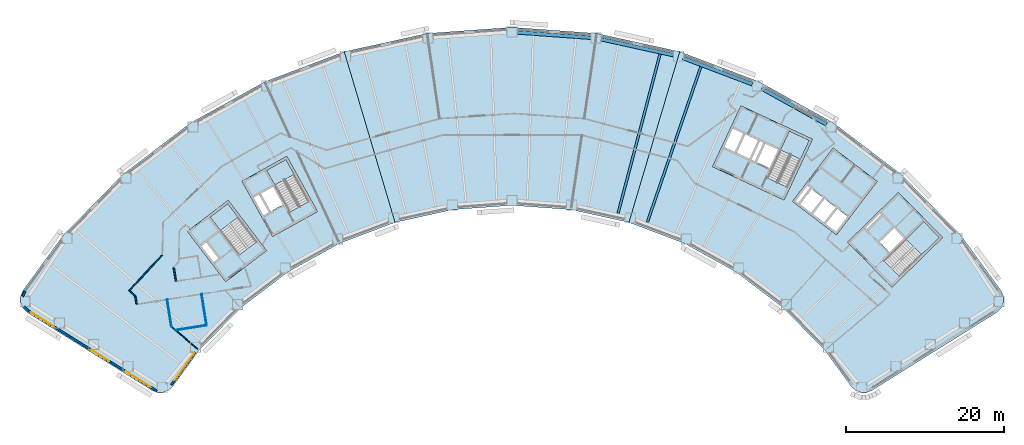
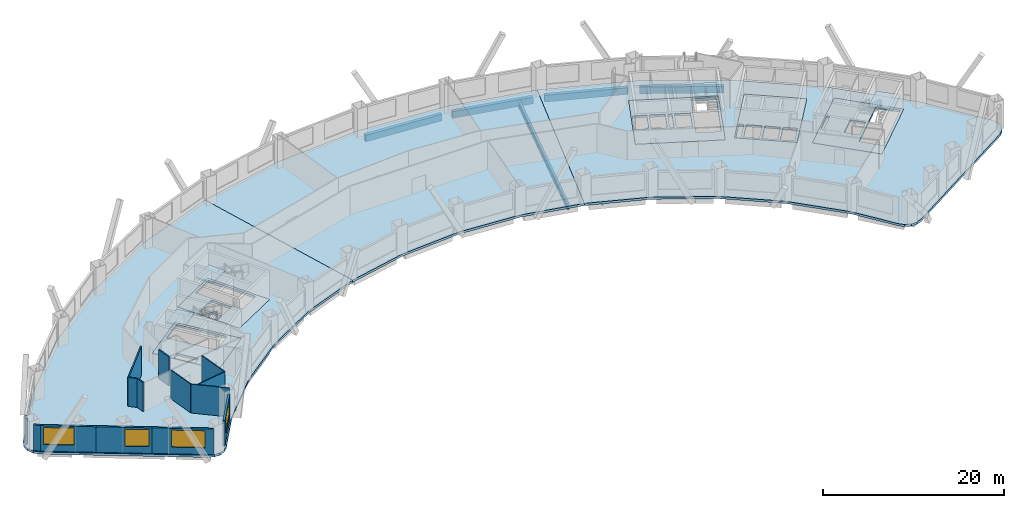
# One storey, part 2 of 11: 14 walls, 12 slabs, 6 beams, 4 windows, 4 openings, 4 elements without a shape of their own.
"""IFC4 building model written with IfcOpenShell, lengths in metres."""

import ifcopenshell
import ifcopenshell.guid

model = None  # the IFC model being written
_history = None  # IfcOwnerHistory: only IFC2X3 demands one
_inside = {}  # id of a spatial element -> (the spatial element, [elements in it])
_under = {}  # id of a project, library or spatial element -> (it, [spatial elements below it])
_declared = {}  # id of a project -> (the project, [libraries it declares])
_typed = {}  # id of a type object -> (the type object, [elements of that type])
_made_of = {}  # id of a material, layer set ... -> (it, [elements and type objects made of it])


def new_model(schema):
    """Start an empty IFC model of exactly this schema.

    Asked for "IFC4X3", IfcOpenShell would pick the latest addendum, in which some entities
    have other attributes; the version numbers below select the first issue.
    IFC2X3 requires an IfcOwnerHistory on every rooted entity: one is made here for all.
    """
    global model, _history
    if schema == "IFC4X3":
        model = ifcopenshell.file(schema_version=(4, 3, 0, 0))
    else:
        model = ifcopenshell.file(schema=schema)
    _inside.clear()
    _under.clear()
    _declared.clear()
    _typed.clear()
    _made_of.clear()
    _history = None
    if model.schema == "IFC2X3":
        org = make("IfcOrganization", Name="unknown")
        user = make(
            "IfcPersonAndOrganization",
            ThePerson=make("IfcPerson", FamilyName="unknown"),
            TheOrganization=org,
        )
        app = make(
            "IfcApplication",
            ApplicationDeveloper=org,
            Version="unknown",
            ApplicationFullName="unknown",
            ApplicationIdentifier="unknown",
        )
        _history = make(
            "IfcOwnerHistory",
            OwningUser=user,
            OwningApplication=app,
            ChangeAction="ADDED",
            CreationDate=0,
        )
    return model


def make(cls, **values):
    """One entity of the class cls with the attributes given. An attribute that is None is left unset."""
    return model.create_entity(
        cls, **{name: value for name, value in values.items() if value is not None}
    )


def rooted(cls, **values):
    """An entity with a GlobalId (a new one), such as an element, a storey or a relation."""
    return make(cls, GlobalId=ifcopenshell.guid.new(), OwnerHistory=_history, **values)


def si_unit(unit_type, name, prefix=None):
    """IfcSIUnit, for example si_unit("LENGTHUNIT", "METRE", prefix="MILLI")."""
    return make("IfcSIUnit", UnitType=unit_type, Prefix=prefix, Name=name)


def assignment(units):
    """IfcUnitAssignment: the units of a project."""
    return None if units is None else make("IfcUnitAssignment", Units=units)


def point(xyz):
    """IfcCartesianPoint."""
    return None if xyz is None else make("IfcCartesianPoint", Coordinates=xyz)


def direction(xyz):
    """IfcDirection."""
    return None if xyz is None else make("IfcDirection", DirectionRatios=xyz)


def frame(location, z_axis=None, x_axis=None):
    """IfcAxis2Placement3D, a coordinate frame: its origin and axes. An axis left out is left unset."""
    return make(
        "IfcAxis2Placement3D",
        Location=point(location),
        Axis=direction(z_axis),
        RefDirection=direction(x_axis),
    )


def frame_2d(location, x_axis=None):
    """IfcAxis2Placement2D, a coordinate frame in the plane: its origin and x axis."""
    return make(
        "IfcAxis2Placement2D", Location=point(location), RefDirection=direction(x_axis)
    )


def origin():
    """The frame at (0, 0, 0) with its axes left unset."""
    return frame((0.0, 0.0, 0.0))


def origin_2d():
    """The frame at (0, 0) in the plane with its x axis left unset."""
    return frame_2d((0.0, 0.0))


def place(relative_to, where):
    """IfcLocalPlacement: puts the frame where relative to a parent placement (None: the world)."""
    return make(
        "IfcLocalPlacement", PlacementRelTo=relative_to, RelativePlacement=where
    )


def context(
    kind, dimensions, precision=None, world=None, true_north=None, identifier=None
):
    """IfcGeometricRepresentationContext, for example the 3D "Model" context."""
    return make(
        "IfcGeometricRepresentationContext",
        ContextIdentifier=identifier,
        ContextType=kind,
        CoordinateSpaceDimension=dimensions,
        Precision=precision,
        WorldCoordinateSystem=world,
        TrueNorth=true_north,
    )


def subcontext(parent, identifier, kind, view, scale=None):
    """IfcGeometricRepresentationSubContext, for example "Body" below "Model"."""
    return make(
        "IfcGeometricRepresentationSubContext",
        ContextIdentifier=identifier,
        ContextType=kind,
        ParentContext=parent,
        TargetScale=scale,
        TargetView=view,
    )


def project(units=None, contexts=None):
    """IfcProject with its units and contexts."""
    return rooted(
        "IfcProject",
        Name="project",
        RepresentationContexts=contexts,
        UnitsInContext=assignment(units),
    )


def spatial(cls, under=None, at=None, **own):
    """A site, building, storey or space (cls), placed at a placement, below another one or the project."""
    s = rooted(cls, ObjectPlacement=at, **own)
    if under is not None:
        _under.setdefault(under.id(), (under, []))[1].append(s)
    return s


def polyline(points):
    """IfcPolyline through the points."""
    return make("IfcPolyline", Points=[point(p) for p in points])


def profile(cls, at=None, kind="AREA", **sizes):
    """A parametric profile (cls). Its sizes go by their IFC names, for example OverallWidth=200.0."""
    return make(cls, ProfileType=kind, Position=at, **sizes)


def rectangle(**sizes):
    """IfcRectangleProfileDef."""
    return profile("IfcRectangleProfileDef", **sizes)


def hollow_rectangle(**sizes):
    """IfcRectangleHollowProfileDef."""
    return profile("IfcRectangleHollowProfileDef", **sizes)


def i_section(**sizes):
    """IfcIShapeProfileDef."""
    return profile("IfcIShapeProfileDef", **sizes)


def outline(outer, holes=None, kind="AREA"):
    """IfcArbitraryClosedProfileDef: a profile drawn as a closed curve; with holes, ...WithVoids."""
    if holes is None:
        return make("IfcArbitraryClosedProfileDef", ProfileType=kind, OuterCurve=outer)
    return make(
        "IfcArbitraryProfileDefWithVoids",
        ProfileType=kind,
        OuterCurve=outer,
        InnerCurves=holes,
    )


def extrude(swept, where, along, depth):
    """IfcExtrudedAreaSolid: the profile swept, set in the frame where, extruded along a direction by depth."""
    return make(
        "IfcExtrudedAreaSolid",
        SweptArea=swept,
        Position=where,
        ExtrudedDirection=direction(along),
        Depth=depth,
    )


def shape(context_of_items, identifier, shape_type, items):
    """IfcShapeRepresentation: the items that make up one representation, for example the "Body"."""
    return make(
        "IfcShapeRepresentation",
        ContextOfItems=context_of_items,
        RepresentationIdentifier=identifier,
        RepresentationType=shape_type,
        Items=items,
    )


def material(Name=None, Category=None):
    """IfcMaterial."""
    return make("IfcMaterial", Name=Name, Category=Category)


def layer(
    of_material, thickness, ventilated=None, Name=None, Category=None, Priority=None
):
    """IfcMaterialLayer: one layer of a wall or slab, of a material (None: an air gap)."""
    return make(
        "IfcMaterialLayer",
        Material=of_material,
        LayerThickness=thickness,
        IsVentilated=ventilated,
        Name=Name,
        Category=Category,
        Priority=Priority,
    )


def layer_set(layers, Name=None):
    """IfcMaterialLayerSet."""
    return make("IfcMaterialLayerSet", MaterialLayers=layers, LayerSetName=Name)


def material_profile(
    of_material, cross_section, Name=None, Category=None, Priority=None
):
    """IfcMaterialProfile: a cross section and its material."""
    return make(
        "IfcMaterialProfile",
        Name=Name,
        Material=of_material,
        Profile=cross_section,
        Priority=Priority,
        Category=Category,
    )


def profile_set(profiles, Name=None, composite=None):
    """IfcMaterialProfileSet."""
    return make(
        "IfcMaterialProfileSet",
        Name=Name,
        MaterialProfiles=profiles,
        CompositeProfile=composite,
    )


def made_of(thing, what):
    """Note that an element or type object is made of a material, layer set ...; save() writes the relation."""
    if what is not None:
        _made_of.setdefault(what.id(), (what, []))[1].append(thing)
    return thing


def type_object(cls, material=None, **own):
    """A type object (cls), such as IfcWallType, which elements share."""
    return made_of(rooted(cls, **own), material)


def element(
    cls,
    number,
    at=None,
    inside=None,
    cuts=None,
    type_object=None,
    material=None,
    context=None,
    identifier="Body",
    shape_type=None,
    held_by="IfcProductDefinitionShape",
    body=None,
    shapes=None,
    **own,
):
    """One element of the class cls, such as IfcWall. Its Tag is "e" and its number.

    at: its placement. inside: the storey or other place that contains it. cuts: it is an
    opening in that element (IfcRelVoidsElement). A single representation is given by context,
    identifier, shape_type and body (its items); several are given by shapes. held_by: the class
    of the entity that holds the representations. save() writes the other relations.
    """
    e = rooted(cls, Tag="e%d" % number, ObjectPlacement=at, **own)
    if body is not None:
        shapes = [shape(context, identifier, shape_type, body)]
    if shapes is not None:
        e.Representation = make(held_by, Representations=shapes)
    if inside is not None:
        _inside.setdefault(inside.id(), (inside, []))[1].append(e)
    if cuts is not None:
        rooted(
            "IfcRelVoidsElement", RelatingBuildingElement=cuts, RelatedOpeningElement=e
        )
    if type_object is not None:
        _typed.setdefault(type_object.id(), (type_object, []))[1].append(e)
    return made_of(e, material)


def fill(opening, filler):
    """IfcRelFillsElement: the door or window that sits in an opening."""
    return rooted(
        "IfcRelFillsElement",
        RelatingOpeningElement=opening,
        RelatedBuildingElement=filler,
    )


def aggregate(whole, parts):
    """IfcRelAggregates: a whole, such as a stair, and the parts it consists of."""
    return rooted("IfcRelAggregates", RelatingObject=whole, RelatedObjects=parts)


def save(model, path):
    """Write the relations noted so far, then the file.

    IfcRelAggregates (storeys below a building ...), IfcRelContainedInSpatialStructure (elements
    in a storey), IfcRelDefinesByType, IfcRelAssociatesMaterial and IfcRelDeclares: one each for
    every whole, place, type object, material and project.
    """
    for whole, parts in _under.values():
        aggregate(whole, parts)
    for where, things in _inside.values():
        rooted(
            "IfcRelContainedInSpatialStructure",
            RelatedElements=things,
            RelatingStructure=where,
        )
    for kind, things in _typed.values():
        rooted("IfcRelDefinesByType", RelatedObjects=things, RelatingType=kind)
    for what, things in _made_of.values():
        rooted("IfcRelAssociatesMaterial", RelatedObjects=things, RelatingMaterial=what)
    for by, libraries in _declared.values():
        rooted("IfcRelDeclares", RelatingContext=by, RelatedDefinitions=libraries)
    model.write(path)


model = new_model("IFC4")

# Units and contexts
model_context = context("Model", 3, precision=1e-05, world=origin(), true_north=direction((0.0, 1.0)))
body_context = subcontext(model_context, "Body", "Model", "MODEL_VIEW")
ifc_project = project(units=[si_unit("LENGTHUNIT", "METRE"), si_unit("AREAUNIT", "SQUARE_METRE"), si_unit("VOLUMEUNIT", "CUBIC_METRE"), si_unit("PLANEANGLEUNIT", "RADIAN"), si_unit("MASSUNIT", "GRAM", prefix="KILO")], contexts=[model_context])

# Site, building, storey
site_placement = place(None, origin())
site = spatial("IfcSite", under=ifc_project, at=site_placement, CompositionType="ELEMENT")
building_placement = place(site_placement, origin())
building = spatial("IfcBuilding", under=site, at=building_placement, Name="Tuul Gate Civic Tower", CompositionType="ELEMENT")
storey_placement = place(building_placement, frame((0.0, 0.0, 48.300048828125)))
storey = spatial("IfcBuildingStorey", under=building, at=storey_placement, Name="Level 10", CompositionType="ELEMENT", Elevation=48.300048828125)

# Beams
ifc_material_1 = material(Name="Steel S355", Category="steel")
ifc_material_profile_1 = material_profile(ifc_material_1, i_section(OverallWidth=0.300048828125, OverallDepth=0.800048828125, WebThickness=0.013916015625, FlangeThickness=0.02490234375, at=origin_2d()), Name="PG800x300x14x25")
ifc_profile_set_1 = profile_set([ifc_material_profile_1], Name="Steel S355")
beam_type_1 = type_object("IfcBeamType", Name="STR-FLOOR BEAM-PG800x300x14x25", PredefinedType="BEAM", material=ifc_profile_set_1)
beam_1_placement = place(storey_placement, frame((17.146240234375, -10.189453125, -0.699951171875), z_axis=(0.325486974479, 0.945546524209, 0.0), x_axis=(-0.945546524209, 0.325486974479, 0.0)))
element("IfcBeam", 1, at=beam_1_placement, inside=storey, type_object=beam_type_1, Name="Floor beam", PredefinedType="BEAM", context=body_context, shape_type="SweptSolid", body=[
    extrude(i_section(OverallWidth=0.300048828125, OverallDepth=0.800048828125, WebThickness=0.013916015625, FlangeThickness=0.02490234375, at=origin_2d()), origin(), (0.0, 0.0, 1.0), 20.809326171875),
])
beam_2_placement = place(storey_placement, frame((13.438720703125, -9.04296875, -0.699951171875), z_axis=(0.255004720301, 0.96693980817, 0.0), x_axis=(-0.96693980817, 0.255004720301, 0.0)))
element("IfcBeam", 2, at=beam_2_placement, inside=storey, type_object=beam_type_1, Name="Floor beam", PredefinedType="BEAM", context=body_context, shape_type="SweptSolid", body=[
    extrude(i_section(OverallWidth=0.300048828125, OverallDepth=0.800048828125, WebThickness=0.013916015625, FlangeThickness=0.02490234375, at=origin_2d()), origin(), (0.0, 0.0, 1.0), 20.817626953125),
])
ifc_material_2 = material(Name="Steel S355", Category="steel")
ifc_material_profile_2 = material_profile(ifc_material_2, hollow_rectangle(XDim=0.449951171875, YDim=0.89990234375, WallThickness=0.02490234375, at=origin_2d()), Name="BOX900x450x25")
ifc_profile_set_2 = profile_set([ifc_material_profile_2], Name="Steel S355")
beam_type_2 = type_object("IfcBeamType", Name="STR-SPANDREL BEAM-BOX900x450x25", PredefinedType="BEAM", material=ifc_profile_set_2)
beam_3_placement = place(storey_placement, frame((39.83349609375, 2.191162109375, -0.75), z_axis=(-0.874628488078, 0.484793778676, 0.0), x_axis=(-0.484793778676, -0.874628488078, 0.0)))
element("IfcBeam", 3, at=beam_3_placement, inside=storey, type_object=beam_type_2, Name="Spandrel beam", PredefinedType="BEAM", context=body_context, shape_type="SweptSolid", body=[
    extrude(hollow_rectangle(XDim=0.449951171875, YDim=0.89990234375, WallThickness=0.02490234375, at=origin_2d()), origin(), (0.0, 0.0, 1.0), 9.37646484375),
])
beam_4_placement = place(storey_placement, frame((30.4560546875, 7.281982421875, -0.75), z_axis=(-0.935343306637, 0.353741287849, 0.0), x_axis=(-0.353741287849, -0.935343306637, 0.0)))
element("IfcBeam", 4, at=beam_4_placement, inside=storey, type_object=beam_type_2, Name="Spandrel beam", PredefinedType="BEAM", context=body_context, shape_type="SweptSolid", body=[
    extrude(hollow_rectangle(XDim=0.449951171875, YDim=0.89990234375, WallThickness=0.02490234375, at=origin_2d()), origin(), (0.0, 0.0, 1.0), 9.377197265625),
])
beam_5_placement = place(storey_placement, frame((20.442138671875, 10.968994140625, -0.75), z_axis=(-0.976572630495, 0.215188051174, 0.0), x_axis=(-0.215188051174, -0.976572630495, 0.0)))
element("IfcBeam", 5, at=beam_5_placement, inside=storey, type_object=beam_type_2, Name="Spandrel beam", PredefinedType="BEAM", context=body_context, shape_type="SweptSolid", body=[
    extrude(hollow_rectangle(XDim=0.449951171875, YDim=0.89990234375, WallThickness=0.02490234375, at=origin_2d()), origin(), (0.0, 0.0, 1.0), 9.378173828125),
])
beam_6_placement = place(storey_placement, frame((10.000732421875, 13.173828125, -0.75), z_axis=(-0.997388439542, 0.072223961869, 0.0), x_axis=(-0.072223961869, -0.997388439542, 0.0)))
element("IfcBeam", 6, at=beam_6_placement, inside=storey, type_object=beam_type_2, Name="Spandrel beam", PredefinedType="BEAM", context=body_context, shape_type="SweptSolid", body=[
    extrude(hollow_rectangle(XDim=0.449951171875, YDim=0.89990234375, WallThickness=0.02490234375, at=origin_2d()), origin(), (0.0, 0.0, 1.0), 9.376953125),
])

# Slabs
ifc_material_3 = material(Name="Concrete C40/50", Category="concrete")
ifc_layer_1 = layer(ifc_material_3, 0.300048828125)
ifc_layer_set_1 = layer_set([ifc_layer_1], Name="Concrete C40/50")
slab_type_1 = type_object("IfcSlabType", Name="Core floor slab 300", PredefinedType="FLOOR", material=ifc_layer_set_1)
slab_1_placement = place(storey_placement, frame((0.0, 0.0, -0.300048828125)))
element("IfcSlab", 7, at=slab_1_placement, inside=storey, type_object=slab_type_1, Name="FLOOR SLAB", PredefinedType="FLOOR", context=body_context, shape_type="SweptSolid", body=[
    extrude(outline(polyline([(-31.10009765625, -13.7890625), (-35.946044921875, -7.423828125), (-41.11767578125, -11.361572265625), (-36.271484375, -17.726806640625), (-31.10009765625, -13.7890625)]), holes=[polyline([(-37.19287109375, -14.783203125), (-38.737548828125, -12.75439453125), (-39.45361328125, -13.299560546875), (-37.908935546875, -15.328369140625), (-37.19287109375, -14.783203125)]), polyline([(-32.33935546875, -12.65771484375), (-34.56591796875, -14.352783203125), (-38.229736328125, -9.54052734375), (-36.003173828125, -7.845458984375), (-32.33935546875, -12.65771484375)])]), origin(), (0.0, 0.0, 1.0), 0.300048828125),
])
slab_2_placement = place(storey_placement, frame((0.0, 0.0, -0.300048828125)))
element("IfcSlab", 8, at=slab_2_placement, inside=storey, type_object=slab_type_1, Name="FLOOR SLAB", PredefinedType="FLOOR", context=body_context, shape_type="SweptSolid", body=[
    extrude(outline(polyline([(-24.638916015625, -8.846923828125), (-28.51708984375, -1.849853515625), (-34.2021484375, -5.0009765625), (-30.32421875, -11.998046875), (-24.638916015625, -8.846923828125)]), holes=[polyline([(-29.0185546875, -7.958740234375), (-30.254638671875, -5.728515625), (-31.785400390625, -6.576904296875), (-30.54931640625, -8.80712890625), (-29.0185546875, -7.958740234375)]), polyline([(-30.8115234375, -8.95263671875), (-32.047607421875, -6.72216796875), (-32.8349609375, -7.158447265625), (-31.5986328125, -9.388916015625), (-30.8115234375, -8.95263671875)]), polyline([(-25.702392578125, -7.548828125), (-28.14990234375, -8.905517578125), (-31.08203125, -3.615234375), (-28.63427734375, -2.2587890625), (-25.702392578125, -7.548828125)])]), origin(), (0.0, 0.0, 1.0), 0.300048828125),
])
slab_3_placement = place(storey_placement, frame((0.0, 0.0, -0.300048828125)))
element("IfcSlab", 9, at=slab_3_placement, inside=storey, type_object=slab_type_1, Name="FLOOR SLAB", PredefinedType="FLOOR", context=body_context, shape_type="SweptSolid", body=[
    extrude(outline(polyline([(48.117919921875, -18.43310546875), (54.545166015625, -12.1328125), (48.945068359375, -6.419921875), (42.517822265625, -12.719970703125), (48.117919921875, -18.43310546875)]), holes=[polyline([(47.808837890625, -13.974853515625), (49.6298828125, -12.18994140625), (48.40478515625, -10.940185546875), (46.583984375, -12.72509765625), (47.808837890625, -13.974853515625)]), polyline([(44.93896484375, -11.046875), (46.760009765625, -9.261962890625), (46.514892578125, -9.011962890625), (44.69384765625, -10.797119140625), (44.93896484375, -11.046875)]), polyline([(49.086181640625, -17.062744140625), (47.12744140625, -15.064208984375), (52.160888671875, -10.130126953125), (54.11962890625, -12.128662109375), (49.086181640625, -17.062744140625)])]), origin(), (0.0, 0.0, 1.0), 0.300048828125),
])
slab_4_placement = place(storey_placement, frame((0.0, 0.0, -0.300048828125)))
element("IfcSlab", 10, at=slab_4_placement, inside=storey, type_object=slab_type_1, Name="FLOOR SLAB", PredefinedType="FLOOR", context=body_context, shape_type="SweptSolid", body=[
    extrude(outline(polyline([(34.465087890625, -7.385986328125), (38.056884765625, 0.31787109375), (28.993896484375, 4.543701171875), (25.40185546875, -3.159912109375), (34.465087890625, -7.385986328125)]), holes=[polyline([(32.60888671875, -3.32080078125), (33.6865234375, -1.009765625), (32.1005859375, -0.27001953125), (31.02294921875, -2.581298828125), (32.60888671875, -3.32080078125)]), polyline([(30.0712890625, -2.137451171875), (31.14892578125, 0.173583984375), (29.562744140625, 0.9130859375), (28.4853515625, -1.39794921875), (30.0712890625, -2.137451171875)]), polyline([(30.751220703125, -2.454345703125), (31.82861328125, -0.143310546875), (31.4208984375, 0.046875), (30.34326171875, -2.264404296875), (30.751220703125, -2.454345703125)]), polyline([(28.21337890625, -1.27099609375), (29.291015625, 1.0400390625), (27.8408203125, 1.71630859375), (26.76318359375, -0.594970703125), (28.21337890625, -1.27099609375)]), polyline([(34.889892578125, -5.7626953125), (32.353759765625, -4.580078125), (35.120849609375, 1.354736328125), (37.6572265625, 0.17236328125), (34.889892578125, -5.7626953125)])]), origin(), (0.0, 0.0, 1.0), 0.300048828125),
])
ifc_material_4 = material(Name="Concrete C40/50", Category="concrete")
ifc_layer_2 = layer(ifc_material_4, 0.300048828125)
ifc_layer_set_2 = layer_set([ifc_layer_2], Name="Concrete C40/50")
slab_type_2 = type_object("IfcSlabType", Name="Core floor slab 300 non-bearing", PredefinedType="FLOOR", material=ifc_layer_set_2)
slab_5_placement = place(storey_placement, frame((0.0, 0.0, -0.300048828125)))
element("IfcSlab", 11, at=slab_5_placement, inside=storey, type_object=slab_type_2, Name="FLOOR SLAB", PredefinedType="FLOOR", context=body_context, shape_type="SweptSolid", body=[
    extrude(outline(polyline([(41.10107421875, -11.797119140625), (46.25, -5.033935546875), (40.680908203125, -0.79296875), (35.531982421875, -7.555908203125), (41.10107421875, -11.797119140625)]), holes=[polyline([(41.044189453125, -11.37646484375), (42.497802734375, -9.467041015625), (41.22509765625, -8.49755859375), (39.77099609375, -10.4072265625), (41.044189453125, -11.37646484375)]), polyline([(39.532470703125, -10.225341796875), (40.986328125, -8.31591796875), (39.593994140625, -7.255615234375), (38.14013671875, -9.165283203125), (39.532470703125, -10.225341796875)]), polyline([(37.901611328125, -8.9833984375), (39.35546875, -7.073974609375), (37.963134765625, -6.013671875), (36.50927734375, -7.923095703125), (37.901611328125, -8.9833984375)]), polyline([(36.1796875, -7.860595703125), (37.724609375, -5.831787109375), (37.286865234375, -5.49853515625), (35.7421875, -7.527587890625), (36.1796875, -7.860595703125)])]), origin(), (0.0, 0.0, 1.0), 0.300048828125),
])

# Stair, slab
ifc_material_5 = material(Name="Concrete C40/50", Category="concrete")
stair_type = type_object("IfcStairType", Name="Exit stair", PredefinedType="HALF_TURN_STAIR", material=ifc_material_5)
stair_1_placement = place(storey_placement, origin())
stair_1 = element("IfcStair", 12, at=stair_1_placement, inside=storey, type_object=stair_type, Name="Level 10 ST-1", PredefinedType="HALF_TURN_STAIR")
ifc_material_6 = material(Name="Concrete C40/50", Category="concrete")
ifc_layer_3 = layer(ifc_material_6, 0.199951171875)
ifc_layer_set_3 = layer_set([ifc_layer_3], Name="Concrete C40/50")
slab_type_3 = type_object("IfcSlabType", Name="Exit stair landing", PredefinedType="LANDING", material=ifc_layer_set_3)
slab_6_placement = place(storey_placement, frame((0.0, 0.0, 1.89990234375)))
slab_6 = element("IfcSlab", 13, at=slab_6_placement, type_object=slab_type_3, Name="ST-1 landing 1", PredefinedType="LANDING", context=body_context, shape_type="SweptSolid", body=[
    extrude(outline(polyline([(-34.699462890625, -9.554931640625), (-36.9287109375, -11.252197265625), (-38.23193359375, -9.540283203125), (-36.0029296875, -7.843017578125), (-34.699462890625, -9.554931640625)])), origin(), (0.0, 0.0, 1.0), 0.199951171875),
])
aggregate(stair_1, [slab_6])

stair_2_placement = place(storey_placement, origin())
stair_2 = element("IfcStair", 14, at=stair_2_placement, inside=storey, type_object=stair_type, Name="Level 10 ST-2", PredefinedType="HALF_TURN_STAIR")
slab_7_placement = place(storey_placement, frame((0.0, 0.0, 1.89990234375)))
slab_7 = element("IfcSlab", 15, at=slab_7_placement, type_object=slab_type_3, Name="ST-2 landing 1", PredefinedType="LANDING", context=body_context, shape_type="SweptSolid", body=[
    extrude(outline(polyline([(-27.5908203125, -4.138427734375), (-30.041015625, -5.49658203125), (-31.084228515625, -3.61474609375), (-28.6337890625, -2.256591796875), (-27.5908203125, -4.138427734375)])), origin(), (0.0, 0.0, 1.0), 0.199951171875),
])
aggregate(stair_2, [slab_7])

stair_3_placement = place(storey_placement, origin())
stair_3 = element("IfcStair", 16, at=stair_3_placement, inside=storey, type_object=stair_type, Name="Level 10 ST-3", PredefinedType="HALF_TURN_STAIR")
slab_8_placement = place(storey_placement, frame((0.0, 0.0, 1.89990234375)))
slab_8 = element("IfcSlab", 17, at=slab_8_placement, type_object=slab_type_3, Name="ST-3 landing 1", PredefinedType="LANDING", context=body_context, shape_type="SweptSolid", body=[
    extrude(outline(polyline([(51.871337890625, -14.3349609375), (49.91015625, -12.334228515625), (52.160888671875, -10.1279296875), (54.1220703125, -12.128662109375), (51.871337890625, -14.3349609375)])), origin(), (0.0, 0.0, 1.0), 0.199951171875),
])
aggregate(stair_3, [slab_8])

stair_4_placement = place(storey_placement, origin())
stair_4 = element("IfcStair", 18, at=stair_4_placement, inside=storey, type_object=stair_type, Name="Level 10 ST-4", PredefinedType="HALF_TURN_STAIR")
slab_9_placement = place(storey_placement, frame((0.0, 0.0, 1.89990234375)))
slab_9 = element("IfcSlab", 19, at=slab_9_placement, type_object=slab_type_3, Name="ST-4 landing 1", PredefinedType="LANDING", context=body_context, shape_type="SweptSolid", body=[
    extrude(outline(polyline([(36.538818359375, -2.230224609375), (33.999755859375, -1.046142578125), (35.1201171875, 1.35693359375), (37.659423828125, 0.173095703125), (36.538818359375, -2.230224609375)])), origin(), (0.0, 0.0, 1.0), 0.199951171875),
])
aggregate(stair_4, [slab_9])

# Slabs
ifc_material_7 = material(Name="Concrete C35/45", Category="concrete")
ifc_layer_4 = layer(ifc_material_7, 0.300048828125)
ifc_layer_set_4 = layer_set([ifc_layer_4], Name="Concrete C35/45")
slab_type_4 = type_object("IfcSlabType", Name="STR-FLOOR-SLAB-300", PredefinedType="FLOOR", material=ifc_layer_set_4)
slab_10_placement = place(storey_placement, frame((0.0, 0.0, -0.300048828125)))
element("IfcSlab", 20, at=slab_10_placement, inside=storey, type_object=slab_type_4, Name="Level 10/slab/W", PredefinedType="FLOOR", context=body_context, shape_type="SweptSolid", body=[
    extrude(outline(polyline([(-21.833984375, -12.87109375), (-14.81396484375, -10.216064453125), (-21.248046875, 11.406005859375), (-31.31689453125, 7.597900390625), (-40.73095703125, 2.3798828125), (-49.2958984375, -4.14111328125), (-56.8310546875, -11.827880859375), (-61.910888671875, -18.784912109375), (-62.248046875, -19.528076171875), (-62.260009765625, -20.343017578125), (-61.945068359375, -21.095947265625), (-61.35595703125, -21.659912109375), (-45.6259765625, -31.489990234375), (-44.931884765625, -31.760009765625), (-44.18701171875, -31.757080078125), (-43.4951171875, -31.48193359375), (-42.950927734375, -30.972900390625), (-39.6220703125, -26.4150390625), (-34.368896484375, -21.055908203125), (-28.39794921875, -16.509033203125), (-21.833984375, -12.87109375)]), holes=[polyline([(-31.10009765625, -13.7890625), (-36.27197265625, -17.72705078125), (-41.117919921875, -11.362060546875), (-35.946044921875, -7.424072265625), (-31.10009765625, -13.7890625)]), polyline([(-24.638916015625, -8.846923828125), (-30.323974609375, -11.998046875), (-34.201904296875, -5.0009765625), (-28.51708984375, -1.85009765625), (-24.638916015625, -8.846923828125)])]), origin(), (0.0, 0.0, 1.0), 0.300048828125),
])
slab_11_placement = place(storey_placement, frame((0.0, 0.0, -0.300048828125)))
element("IfcSlab", 21, at=slab_11_placement, inside=storey, type_object=slab_type_4, Name="Level 10/slab/M", PredefinedType="FLOOR", context=body_context, shape_type="SweptSolid", body=[
    extrude(outline(polyline([(14.81396484375, -10.216064453125), (21.248046875, 11.406005859375), (10.736083984375, 13.721923828125), (0.0, 14.5), (-10.736083984375, 13.721923828125), (-21.248046875, 11.406005859375), (-14.81396484375, -10.216064453125), (-7.485107421875, -8.60107421875), (0.0, -8.05908203125), (7.485107421875, -8.60107421875), (14.81396484375, -10.216064453125)])), origin(), (0.0, 0.0, 1.0), 0.300048828125),
])
slab_12_placement = place(storey_placement, frame((0.0, 0.0, -0.300048828125)))
element("IfcSlab", 22, at=slab_12_placement, inside=storey, type_object=slab_type_4, Name="Level 10/slab/E", PredefinedType="FLOOR", context=body_context, shape_type="SweptSolid", body=[
    extrude(outline(polyline([(44.931884765625, -31.760009765625), (45.6259765625, -31.489990234375), (61.35595703125, -21.659912109375), (61.945068359375, -21.095947265625), (62.260009765625, -20.343017578125), (62.248046875, -19.528076171875), (61.910888671875, -18.784912109375), (56.8310546875, -11.827880859375), (49.2958984375, -4.14111328125), (40.73095703125, 2.3798828125), (31.31689453125, 7.597900390625), (21.248046875, 11.406005859375), (14.81396484375, -10.216064453125), (21.833984375, -12.87109375), (28.39794921875, -16.509033203125), (34.368896484375, -21.055908203125), (39.6220703125, -26.4150390625), (42.950927734375, -30.972900390625), (43.4951171875, -31.48193359375), (44.18701171875, -31.757080078125), (44.931884765625, -31.760009765625)]), holes=[polyline([(48.117919921875, -18.43310546875), (42.51806640625, -12.719970703125), (48.945068359375, -6.419921875), (54.544921875, -12.133056640625), (48.117919921875, -18.43310546875)]), polyline([(35.531982421875, -7.555908203125), (40.680908203125, -0.79296875), (46.25, -5.033935546875), (41.10107421875, -11.797119140625), (35.531982421875, -7.555908203125)]), polyline([(25.402099609375, -3.159912109375), (28.993896484375, 4.5439453125), (38.056884765625, 0.318115234375), (34.465087890625, -7.385986328125), (25.402099609375, -3.159912109375)])]), origin(), (0.0, 0.0, 1.0), 0.300048828125),
])

# Walls
ifc_material_8 = material(Name="Gypsum board partition")
ifc_layer_5 = layer(ifc_material_8, 0.14990234375)
ifc_layer_set_5 = layer_set([ifc_layer_5], Name="Gypsum board partition")
wall_type_1 = type_object("IfcWallType", Name="Corridor wall P150", PredefinedType="PARTITIONING", material=ifc_layer_set_5)
wall_1_placement = place(storey_placement, frame((-47.708984375, -19.56640625, 0.0), z_axis=(0.0, 0.0, 1.0), x_axis=(0.156191042766, -0.987726864148, 0.0)))
element("IfcWall", 23, at=wall_1_placement, inside=storey, type_object=wall_type_1, Name="p034", PredefinedType="PARTITIONING", context=body_context, shape_type="SweptSolid", body=[
    extrude(rectangle(XDim=1.04248046875, YDim=0.14990234375, at=frame_2d((0.521240234375, 0.0))), origin(), (0.0, 0.0, 1.0), 3.89990234375),
])
wall_2_placement = place(storey_placement, frame((-48.478515625, -18.843505859375, 0.0), z_axis=(0.0, 0.0, 1.0), x_axis=(0.681511791808, 0.73180713144, 0.0)))
element("IfcWall", 24, at=wall_2_placement, inside=storey, type_object=wall_type_1, Name="p039", PredefinedType="PARTITIONING", context=body_context, shape_type="SweptSolid", body=[
    extrude(rectangle(XDim=6.140380859375, YDim=0.14990234375, at=frame_2d((3.0703125, 0.0))), origin(), (0.0, 0.0, 1.0), 3.89990234375),
])
wall_3_placement = place(storey_placement, frame((-48.478515625, -18.843505859375, 0.0), z_axis=(0.0, 0.0, 1.0), x_axis=(0.731716771698, -0.681608807173, 0.0)))
element("IfcWall", 25, at=wall_3_placement, inside=storey, type_object=wall_type_1, Name="p040", PredefinedType="PARTITIONING", context=body_context, shape_type="SweptSolid", body=[
    extrude(rectangle(XDim=1.042724609375, YDim=0.14990234375, at=frame_2d((0.521484375, 0.0))), origin(), (0.0, 0.0, 1.0), 3.89990234375),
])
wall_4_placement = place(storey_placement, frame((-42.852783203125, -15.885009765625, 0.0), z_axis=(0.0, 0.0, 1.0), x_axis=(0.156300148027, -0.987709604958, 0.0)))
element("IfcWall", 26, at=wall_4_placement, inside=storey, type_object=wall_type_1, Name="p055", PredefinedType="PARTITIONING", context=body_context, shape_type="SweptSolid", body=[
    extrude(rectangle(XDim=1.81982421875, YDim=0.14990234375, at=frame_2d((0.909912109375, 0.0))), origin(), (0.0, 0.0, 1.0), 3.89990234375),
])
ifc_material_9 = material(Name="Precast concrete C40/50", Category="concrete")
ifc_layer_6 = layer(ifc_material_9, 0.25)
ifc_layer_set_6 = layer_set([ifc_layer_6], Name="Precast concrete C40/50")
wall_type_2 = type_object("IfcWallType", Name="External wall", PredefinedType="STANDARD", material=ifc_layer_set_6)
wall_5_placement = place(storey_placement, frame((-61.67626953125, -18.924560546875, 0.0), z_axis=(0.0, 0.0, 1.0), x_axis=(-0.412831515496, -0.910807410934, 0.0)))
element("IfcWall", 27, at=wall_5_placement, inside=storey, type_object=wall_type_2, Name="External wall", PredefinedType="STANDARD", context=body_context, shape_type="SweptSolid", body=[
    extrude(rectangle(XDim=0.7197265625, YDim=0.25, at=frame_2d((0.35986328125, 0.0))), origin(), (0.0, 0.0, 1.0), 3.449951171875),
])
wall_6_placement = place(storey_placement, frame((-61.778076171875, -20.8798828125, 0.0), z_axis=(0.0, 0.0, 1.0), x_axis=(0.722244224905, -0.691638113172, 0.0)))
element("IfcWall", 28, at=wall_6_placement, inside=storey, type_object=wall_type_2, Name="External wall", PredefinedType="STANDARD", context=body_context, shape_type="SweptSolid", body=[
    extrude(rectangle(XDim=0.813720703125, YDim=0.25, at=frame_2d((0.40673828125, 0.0))), origin(), (0.0, 0.0, 1.0), 3.449951171875),
])

# Wall, opening, window
wall_7_placement = place(storey_placement, frame((-61.210693359375, -21.427001953125, 0.0), z_axis=(0.0, 0.0, 1.0), x_axis=(0.848042669488, -0.529927948619, 0.0)))
wall_7 = element("IfcWall", 29, at=wall_7_placement, inside=storey, type_object=wall_type_2, Name="External wall", PredefinedType="STANDARD", context=body_context, shape_type="SweptSolid", body=[
    extrude(rectangle(XDim=6.1826171875, YDim=0.25, at=frame_2d((3.09130859375, 0.0))), origin(), (0.0, 0.0, 1.0), 3.449951171875),
])
opening_1_placement = place(wall_7_placement, frame((0.340087890625, 0.0, 0.89990234375)))
opening_1 = element("IfcOpeningElement", 30, at=opening_1_placement, cuts=wall_7, Name="Opening W32", PredefinedType="OPENING", context=body_context, shape_type="SweptSolid", body=[
    extrude(rectangle(XDim=3.39990234375, YDim=2.300048828125, at=frame_2d((1.699951171875, 1.14990234375))), frame((0.0, 0.135009765625, 0.0), z_axis=(0.0, -1.0, 0.0), x_axis=(1.0, 0.0, 0.0)), (0.0, 0.0, 1.0), 0.27001953125),
])
ifc_material_10 = material(Name="Glass", Category="glass")
window_type_1 = type_object("IfcWindowType", Name="Window 3400 x 2300", PartitioningType="SINGLE_PANEL", PredefinedType="WINDOW", material=ifc_material_10)
window_1_placement = place(opening_1_placement, origin())
window_1 = element("IfcWindow", 31, at=window_1_placement, inside=storey, type_object=window_type_1, Name="Window", OverallHeight=2.300048828125, OverallWidth=3.39990234375, PartitioningType="SINGLE_PANEL", PredefinedType="WINDOW", context=body_context, shape_type="SweptSolid", body=[
    extrude(rectangle(XDim=3.39990234375, YDim=2.300048828125, at=frame_2d((1.699951171875, 1.14990234375))), frame((0.0, 0.030029296875, 0.0), z_axis=(0.0, -1.0, 0.0), x_axis=(1.0, 0.0, 0.0)), (0.0, 0.0, 1.0), 0.06005859375),
])
fill(opening_1, window_1)

wall_8_placement = place(storey_placement, frame((-55.967529296875, -24.703369140625, 0.0), z_axis=(0.0, 0.0, 1.0), x_axis=(0.848053758074, -0.529910203164, 0.0)))
wall_8 = element("IfcWall", 32, at=wall_8_placement, inside=storey, type_object=wall_type_2, Name="External wall", PredefinedType="STANDARD", context=body_context, shape_type="SweptSolid", body=[
    extrude(rectangle(XDim=6.182861328125, YDim=0.25, at=frame_2d((3.09130859375, 0.0))), origin(), (0.0, 0.0, 1.0), 3.449951171875),
])
opening_2_placement = place(wall_8_placement, frame((3.199951171875, 0.0, 0.89990234375)))
opening_2 = element("IfcOpeningElement", 33, at=opening_2_placement, cuts=wall_8, Name="Opening W37", PredefinedType="OPENING", context=body_context, shape_type="SweptSolid", body=[
    extrude(rectangle(XDim=2.64990234375, YDim=2.300048828125, at=frame_2d((1.324951171875, 1.14990234375))), frame((0.0, 0.135009765625, 0.0), z_axis=(0.0, -1.0, 0.0), x_axis=(1.0, 0.0, 0.0)), (0.0, 0.0, 1.0), 0.27001953125),
])
ifc_material_11 = material(Name="Glass", Category="glass")
window_type_2 = type_object("IfcWindowType", Name="Window 2650 x 2300", PartitioningType="SINGLE_PANEL", PredefinedType="WINDOW", material=ifc_material_11)
window_2_placement = place(opening_2_placement, origin())
window_2 = element("IfcWindow", 34, at=window_2_placement, inside=storey, type_object=window_type_2, Name="Window", OverallHeight=2.300048828125, OverallWidth=2.64990234375, PartitioningType="SINGLE_PANEL", PredefinedType="WINDOW", context=body_context, shape_type="SweptSolid", body=[
    extrude(rectangle(XDim=2.64990234375, YDim=2.300048828125, at=frame_2d((1.324951171875, 1.14990234375))), frame((0.0, 0.030029296875, 0.0), z_axis=(0.0, -1.0, 0.0), x_axis=(1.0, 0.0, 0.0)), (0.0, 0.0, 1.0), 0.06005859375),
])
fill(opening_2, window_2)

wall_9_placement = place(storey_placement, frame((-50.72412109375, -27.979736328125, 0.0), z_axis=(0.0, 0.0, 1.0), x_axis=(0.848068815002, -0.529886105707, 0.0)))
wall_9 = element("IfcWall", 35, at=wall_9_placement, inside=storey, type_object=wall_type_2, Name="External wall", PredefinedType="STANDARD", context=body_context, shape_type="SweptSolid", body=[
    extrude(rectangle(XDim=6.807373046875, YDim=0.25, at=frame_2d((3.40380859375, 0.0))), origin(), (0.0, 0.0, 1.0), 3.449951171875),
])
opening_3_placement = place(wall_9_placement, frame((2.1640625, 0.0, 0.89990234375)))
opening_3 = element("IfcOpeningElement", 36, at=opening_3_placement, cuts=wall_9, Name="Opening W21", PredefinedType="OPENING", context=body_context, shape_type="SweptSolid", body=[
    extrude(rectangle(XDim=3.699951171875, YDim=2.300048828125, at=frame_2d((1.85009765625, 1.14990234375))), frame((0.0, 0.135009765625, 0.0), z_axis=(0.0, -1.0, 0.0), x_axis=(1.0, 0.0, 0.0)), (0.0, 0.0, 1.0), 0.27001953125),
])
ifc_material_12 = material(Name="Glass", Category="glass")
window_type_3 = type_object("IfcWindowType", Name="Window W21 3700 x 2300", PartitioningType="SINGLE_PANEL", PredefinedType="WINDOW", material=ifc_material_12)
window_3_placement = place(opening_3_placement, origin())
window_3 = element("IfcWindow", 37, at=window_3_placement, inside=storey, type_object=window_type_3, Name="Window", OverallHeight=2.300048828125, OverallWidth=3.699951171875, PartitioningType="SINGLE_PANEL", PredefinedType="WINDOW", context=body_context, shape_type="SweptSolid", body=[
    extrude(rectangle(XDim=3.699951171875, YDim=2.300048828125, at=frame_2d((1.85009765625, 1.14990234375))), frame((0.0, 0.030029296875, 0.0), z_axis=(0.0, -1.0, 0.0), x_axis=(1.0, 0.0, 0.0)), (0.0, 0.0, 1.0), 0.06005859375),
])
fill(opening_3, window_3)

wall_10_placement = place(storey_placement, frame((-43.1728515625, -30.811279296875, 0.0), z_axis=(0.0, 0.0, 1.0), x_axis=(0.589712900291, 0.807612961282, 0.0)))
wall_10 = element("IfcWall", 38, at=wall_10_placement, inside=storey, type_object=wall_type_2, Name="External wall", PredefinedType="STANDARD", context=body_context, shape_type="SweptSolid", body=[
    extrude(rectangle(XDim=5.120361328125, YDim=0.25, at=frame_2d((2.56005859375, 0.0))), origin(), (0.0, 0.0, 1.0), 3.449951171875),
])
opening_4_placement = place(wall_10_placement, frame((0.75244140625, 0.0, 0.89990234375)))
opening_4 = element("IfcOpeningElement", 39, at=opening_4_placement, cuts=wall_10, Name="Opening W25", PredefinedType="OPENING", context=body_context, shape_type="SweptSolid", body=[
    extrude(rectangle(XDim=4.14990234375, YDim=2.300048828125, at=frame_2d((2.074951171875, 1.14990234375))), frame((0.0, 0.135009765625, 0.0), z_axis=(0.0, -1.0, 0.0), x_axis=(1.0, 0.0, 0.0)), (0.0, 0.0, 1.0), 0.27001953125),
])
ifc_material_13 = material(Name="Glass", Category="glass")
window_type_4 = type_object("IfcWindowType", Name="Window W25 4150 x 2300", PartitioningType="SINGLE_PANEL", PredefinedType="WINDOW", material=ifc_material_13)
window_4_placement = place(opening_4_placement, origin())
window_4 = element("IfcWindow", 40, at=window_4_placement, inside=storey, type_object=window_type_4, Name="Window", OverallHeight=2.300048828125, OverallWidth=4.14990234375, PartitioningType="SINGLE_PANEL", PredefinedType="WINDOW", context=body_context, shape_type="SweptSolid", body=[
    extrude(rectangle(XDim=4.14990234375, YDim=2.300048828125, at=frame_2d((2.074951171875, 1.14990234375))), frame((0.0, 0.030029296875, 0.0), z_axis=(0.0, -1.0, 0.0), x_axis=(1.0, 0.0, 0.0)), (0.0, 0.0, 1.0), 0.06005859375),
])
fill(opening_4, window_4)

# Walls
ifc_material_14 = material(Name="Gypsum board partition")
ifc_layer_7 = layer(ifc_material_14, 0.10009765625)
ifc_layer_set_7 = layer_set([ifc_layer_7], Name="Gypsum board partition")
wall_type_3 = type_object("IfcWallType", Name="Partition P100", PredefinedType="PARTITIONING", material=ifc_layer_set_7)
wall_11_placement = place(storey_placement, frame((-43.68017578125, -19.984619140625, 0.0), z_axis=(0.0, 0.0, 1.0), x_axis=(0.156378411508, -0.987697216972, 0.0)))
element("IfcWall", 41, at=wall_11_placement, inside=storey, type_object=wall_type_3, Name="p032", PredefinedType="PARTITIONING", context=body_context, shape_type="SweptSolid", body=[
    extrude(rectangle(XDim=3.4970703125, YDim=0.10009765625, at=frame_2d((1.74853515625, 0.0))), origin(), (0.0, 0.0, 1.0), 3.89990234375),
])
wall_12_placement = place(storey_placement, frame((-43.13330078125, -23.438720703125, 0.0), z_axis=(0.0, 0.0, 1.0), x_axis=(0.762817389991, -0.646613972574, 0.0)))
element("IfcWall", 42, at=wall_12_placement, inside=storey, type_object=wall_type_3, Name="p033", PredefinedType="PARTITIONING", context=body_context, shape_type="SweptSolid", body=[
    extrude(rectangle(XDim=4.332275390625, YDim=0.10009765625, at=frame_2d((2.166015625, 0.0))), origin(), (0.0, 0.0, 1.0), 3.89990234375),
])
wall_13_placement = place(storey_placement, frame((-39.3134765625, -19.293212890625, 0.0), z_axis=(0.0, 0.0, 1.0), x_axis=(0.15634711078, -0.987702172191, 0.0)))
element("IfcWall", 43, at=wall_13_placement, inside=storey, type_object=wall_type_3, Name="p053", PredefinedType="PARTITIONING", context=body_context, shape_type="SweptSolid", body=[
    extrude(rectangle(XDim=4.010009765625, YDim=0.10009765625, at=frame_2d((2.0048828125, 0.0))), origin(), (0.0, 0.0, 1.0), 3.89990234375),
])
wall_14_placement = place(storey_placement, frame((-42.6171875, -23.876220703125, 0.0), z_axis=(0.0, 0.0, 1.0), x_axis=(0.98769771793, 0.156375247391, 0.0)))
element("IfcWall", 44, at=wall_14_placement, inside=storey, type_object=wall_type_3, Name="p054", PredefinedType="PARTITIONING", context=body_context, shape_type="SweptSolid", body=[
    extrude(rectangle(XDim=3.979736328125, YDim=0.10009765625, at=frame_2d((1.98974609375, 0.0))), origin(), (0.0, 0.0, 1.0), 3.89990234375),
])

save(model, "model.ifc")
